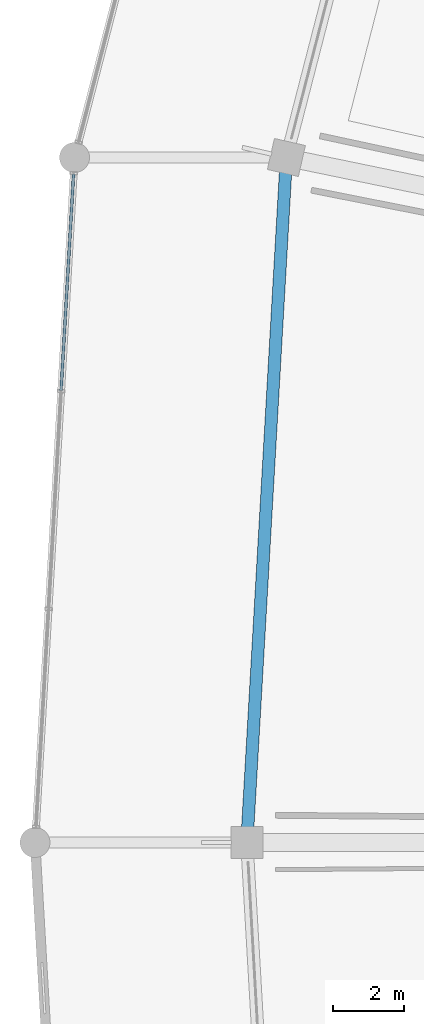
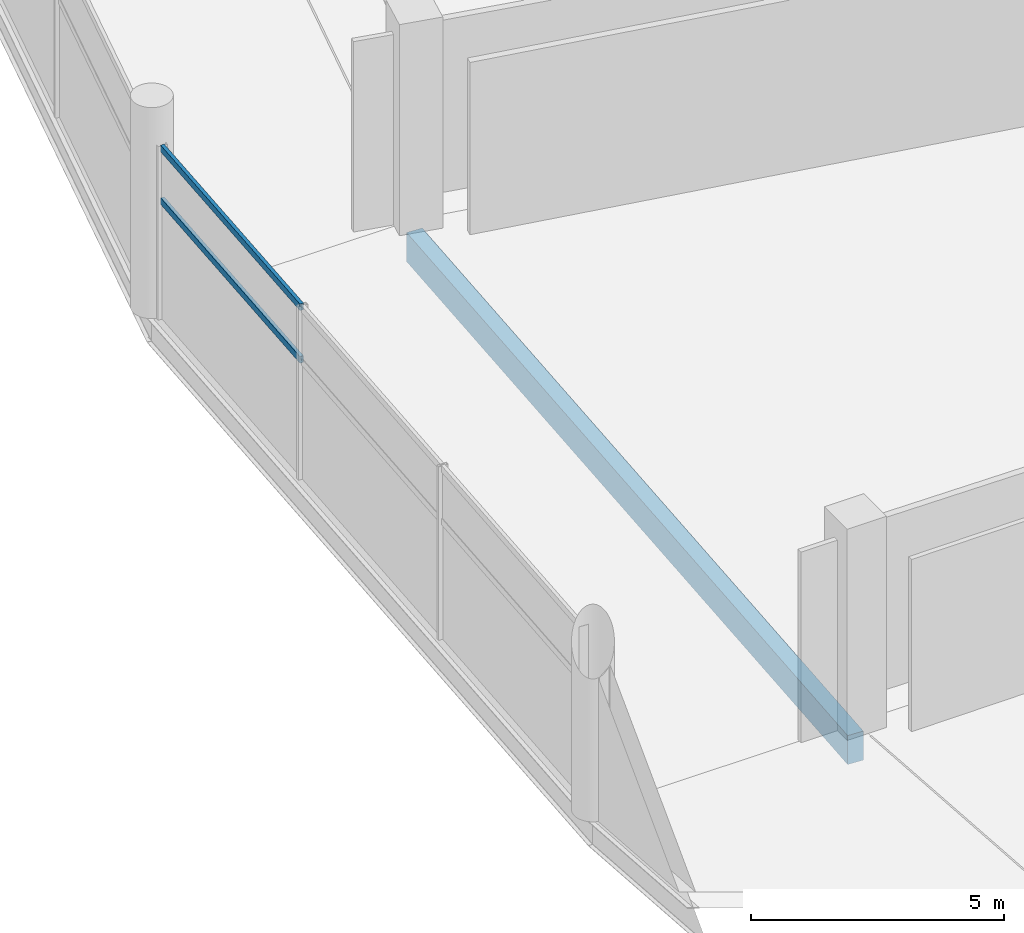
# One storey, part 47 of 184: 2 members, 1 beam, 1 element without a shape of its own.
"""IFC4 building model written with IfcOpenShell, lengths in metres."""

import ifcopenshell
import ifcopenshell.guid

model = None  # the IFC model being written
_history = None  # IfcOwnerHistory: only IFC2X3 demands one
_inside = {}  # id of a spatial element -> (the spatial element, [elements in it])
_under = {}  # id of a project, library or spatial element -> (it, [spatial elements below it])
_declared = {}  # id of a project -> (the project, [libraries it declares])
_typed = {}  # id of a type object -> (the type object, [elements of that type])
_made_of = {}  # id of a material, layer set ... -> (it, [elements and type objects made of it])


def new_model(schema):
    """Start an empty IFC model of exactly this schema.

    Asked for "IFC4X3", IfcOpenShell would pick the latest addendum, in which some entities
    have other attributes; the version numbers below select the first issue.
    IFC2X3 requires an IfcOwnerHistory on every rooted entity: one is made here for all.
    """
    global model, _history
    if schema == "IFC4X3":
        model = ifcopenshell.file(schema_version=(4, 3, 0, 0))
    else:
        model = ifcopenshell.file(schema=schema)
    _inside.clear()
    _under.clear()
    _declared.clear()
    _typed.clear()
    _made_of.clear()
    _history = None
    if model.schema == "IFC2X3":
        org = make("IfcOrganization", Name="unknown")
        user = make(
            "IfcPersonAndOrganization",
            ThePerson=make("IfcPerson", FamilyName="unknown"),
            TheOrganization=org,
        )
        app = make(
            "IfcApplication",
            ApplicationDeveloper=org,
            Version="unknown",
            ApplicationFullName="unknown",
            ApplicationIdentifier="unknown",
        )
        _history = make(
            "IfcOwnerHistory",
            OwningUser=user,
            OwningApplication=app,
            ChangeAction="ADDED",
            CreationDate=0,
        )
    return model


def make(cls, **values):
    """One entity of the class cls with the attributes given. An attribute that is None is left unset."""
    return model.create_entity(
        cls, **{name: value for name, value in values.items() if value is not None}
    )


def rooted(cls, **values):
    """An entity with a GlobalId (a new one), such as an element, a storey or a relation."""
    return make(cls, GlobalId=ifcopenshell.guid.new(), OwnerHistory=_history, **values)


def si_unit(unit_type, name, prefix=None):
    """IfcSIUnit, for example si_unit("LENGTHUNIT", "METRE", prefix="MILLI")."""
    return make("IfcSIUnit", UnitType=unit_type, Prefix=prefix, Name=name)


def assignment(units):
    """IfcUnitAssignment: the units of a project."""
    return None if units is None else make("IfcUnitAssignment", Units=units)


def point(xyz):
    """IfcCartesianPoint."""
    return None if xyz is None else make("IfcCartesianPoint", Coordinates=xyz)


def direction(xyz):
    """IfcDirection."""
    return None if xyz is None else make("IfcDirection", DirectionRatios=xyz)


def frame(location, z_axis=None, x_axis=None):
    """IfcAxis2Placement3D, a coordinate frame: its origin and axes. An axis left out is left unset."""
    return make(
        "IfcAxis2Placement3D",
        Location=point(location),
        Axis=direction(z_axis),
        RefDirection=direction(x_axis),
    )


def frame_2d(location, x_axis=None):
    """IfcAxis2Placement2D, a coordinate frame in the plane: its origin and x axis."""
    return make(
        "IfcAxis2Placement2D", Location=point(location), RefDirection=direction(x_axis)
    )


def origin():
    """The frame at (0, 0, 0) with its axes left unset."""
    return frame((0.0, 0.0, 0.0))


def origin_2d():
    """The frame at (0, 0) in the plane with its x axis left unset."""
    return frame_2d((0.0, 0.0))


def place(relative_to, where):
    """IfcLocalPlacement: puts the frame where relative to a parent placement (None: the world)."""
    return make(
        "IfcLocalPlacement", PlacementRelTo=relative_to, RelativePlacement=where
    )


def context(
    kind, dimensions, precision=None, world=None, true_north=None, identifier=None
):
    """IfcGeometricRepresentationContext, for example the 3D "Model" context."""
    return make(
        "IfcGeometricRepresentationContext",
        ContextIdentifier=identifier,
        ContextType=kind,
        CoordinateSpaceDimension=dimensions,
        Precision=precision,
        WorldCoordinateSystem=world,
        TrueNorth=true_north,
    )


def subcontext(parent, identifier, kind, view, scale=None):
    """IfcGeometricRepresentationSubContext, for example "Body" below "Model"."""
    return make(
        "IfcGeometricRepresentationSubContext",
        ContextIdentifier=identifier,
        ContextType=kind,
        ParentContext=parent,
        TargetScale=scale,
        TargetView=view,
    )


def project(units=None, contexts=None):
    """IfcProject with its units and contexts."""
    return rooted(
        "IfcProject",
        Name="project",
        RepresentationContexts=contexts,
        UnitsInContext=assignment(units),
    )


def spatial(cls, under=None, at=None, **own):
    """A site, building, storey or space (cls), placed at a placement, below another one or the project."""
    s = rooted(cls, ObjectPlacement=at, **own)
    if under is not None:
        _under.setdefault(under.id(), (under, []))[1].append(s)
    return s


def profile(cls, at=None, kind="AREA", **sizes):
    """A parametric profile (cls). Its sizes go by their IFC names, for example OverallWidth=200.0."""
    return make(cls, ProfileType=kind, Position=at, **sizes)


def rectangle(**sizes):
    """IfcRectangleProfileDef."""
    return profile("IfcRectangleProfileDef", **sizes)


def hollow_rectangle(**sizes):
    """IfcRectangleHollowProfileDef."""
    return profile("IfcRectangleHollowProfileDef", **sizes)


def extrude(swept, where, along, depth):
    """IfcExtrudedAreaSolid: the profile swept, set in the frame where, extruded along a direction by depth."""
    return make(
        "IfcExtrudedAreaSolid",
        SweptArea=swept,
        Position=where,
        ExtrudedDirection=direction(along),
        Depth=depth,
    )


def shape(context_of_items, identifier, shape_type, items):
    """IfcShapeRepresentation: the items that make up one representation, for example the "Body"."""
    return make(
        "IfcShapeRepresentation",
        ContextOfItems=context_of_items,
        RepresentationIdentifier=identifier,
        RepresentationType=shape_type,
        Items=items,
    )


def material(Name=None, Category=None):
    """IfcMaterial."""
    return make("IfcMaterial", Name=Name, Category=Category)


def layer(
    of_material, thickness, ventilated=None, Name=None, Category=None, Priority=None
):
    """IfcMaterialLayer: one layer of a wall or slab, of a material (None: an air gap)."""
    return make(
        "IfcMaterialLayer",
        Material=of_material,
        LayerThickness=thickness,
        IsVentilated=ventilated,
        Name=Name,
        Category=Category,
        Priority=Priority,
    )


def layer_set(layers, Name=None):
    """IfcMaterialLayerSet."""
    return make("IfcMaterialLayerSet", MaterialLayers=layers, LayerSetName=Name)


def material_profile(
    of_material, cross_section, Name=None, Category=None, Priority=None
):
    """IfcMaterialProfile: a cross section and its material."""
    return make(
        "IfcMaterialProfile",
        Name=Name,
        Material=of_material,
        Profile=cross_section,
        Priority=Priority,
        Category=Category,
    )


def profile_set(profiles, Name=None, composite=None):
    """IfcMaterialProfileSet."""
    return make(
        "IfcMaterialProfileSet",
        Name=Name,
        MaterialProfiles=profiles,
        CompositeProfile=composite,
    )


def made_of(thing, what):
    """Note that an element or type object is made of a material, layer set ...; save() writes the relation."""
    if what is not None:
        _made_of.setdefault(what.id(), (what, []))[1].append(thing)
    return thing


def type_object(cls, material=None, **own):
    """A type object (cls), such as IfcWallType, which elements share."""
    return made_of(rooted(cls, **own), material)


def element(
    cls,
    number,
    at=None,
    inside=None,
    cuts=None,
    type_object=None,
    material=None,
    context=None,
    identifier="Body",
    shape_type=None,
    held_by="IfcProductDefinitionShape",
    body=None,
    shapes=None,
    **own,
):
    """One element of the class cls, such as IfcWall. Its Tag is "e" and its number.

    at: its placement. inside: the storey or other place that contains it. cuts: it is an
    opening in that element (IfcRelVoidsElement). A single representation is given by context,
    identifier, shape_type and body (its items); several are given by shapes. held_by: the class
    of the entity that holds the representations. save() writes the other relations.
    """
    e = rooted(cls, Tag="e%d" % number, ObjectPlacement=at, **own)
    if body is not None:
        shapes = [shape(context, identifier, shape_type, body)]
    if shapes is not None:
        e.Representation = make(held_by, Representations=shapes)
    if inside is not None:
        _inside.setdefault(inside.id(), (inside, []))[1].append(e)
    if cuts is not None:
        rooted(
            "IfcRelVoidsElement", RelatingBuildingElement=cuts, RelatedOpeningElement=e
        )
    if type_object is not None:
        _typed.setdefault(type_object.id(), (type_object, []))[1].append(e)
    return made_of(e, material)


def aggregate(whole, parts):
    """IfcRelAggregates: a whole, such as a stair, and the parts it consists of."""
    return rooted("IfcRelAggregates", RelatingObject=whole, RelatedObjects=parts)


def save(model, path):
    """Write the relations noted so far, then the file.

    IfcRelAggregates (storeys below a building ...), IfcRelContainedInSpatialStructure (elements
    in a storey), IfcRelDefinesByType, IfcRelAssociatesMaterial and IfcRelDeclares: one each for
    every whole, place, type object, material and project.
    """
    for whole, parts in _under.values():
        aggregate(whole, parts)
    for where, things in _inside.values():
        rooted(
            "IfcRelContainedInSpatialStructure",
            RelatedElements=things,
            RelatingStructure=where,
        )
    for kind, things in _typed.values():
        rooted("IfcRelDefinesByType", RelatedObjects=things, RelatingType=kind)
    for what, things in _made_of.values():
        rooted("IfcRelAssociatesMaterial", RelatedObjects=things, RelatingMaterial=what)
    for by, libraries in _declared.values():
        rooted("IfcRelDeclares", RelatingContext=by, RelatedDefinitions=libraries)
    model.write(path)


model = new_model("IFC4")

# Units and contexts
model_context = context("Model", 3, precision=1e-05, world=origin(), true_north=direction((0.0, 1.0)))
body_context = subcontext(model_context, "Body", "Model", "MODEL_VIEW")
ifc_project = project(units=[si_unit("LENGTHUNIT", "METRE"), si_unit("AREAUNIT", "SQUARE_METRE"), si_unit("VOLUMEUNIT", "CUBIC_METRE"), si_unit("PLANEANGLEUNIT", "RADIAN"), si_unit("MASSUNIT", "GRAM", prefix="KILO")], contexts=[model_context])

# Site, building, storey
site_placement = place(None, origin())
site = spatial("IfcSite", under=ifc_project, at=site_placement, CompositionType="ELEMENT")
building_placement = place(site_placement, origin())
building = spatial("IfcBuilding", under=site, at=building_placement, Name="Kazemori Nagisa Stadium", CompositionType="ELEMENT")
storey_placement = place(building_placement, frame((0.0, 0.0, 10.5400390625)))
storey = spatial("IfcBuildingStorey", under=building, at=storey_placement, Name="L02", CompositionType="ELEMENT", Elevation=10.5400390625)

# Beam
ifc_material_1 = material(Name="Concrete C40/50 (Fc42)", Category="concrete")
ifc_material_profile_1 = material_profile(ifc_material_1, rectangle(XDim=0.35009765625, YDim=0.699951171875, at=origin_2d()), Name="RC-SP-350x700")
ifc_profile_set_1 = profile_set([ifc_material_profile_1], Name="Concrete C40/50 (Fc42)")
beam_type = type_object("IfcBeamType", Name="Beam_BS-RC350X700", PredefinedType="SPANDREL", material=ifc_profile_set_1)
beam_placement = place(storey_placement, frame((29.119140625, 121.397705078125, -0.610107421875), z_axis=(-0.057598702622, -0.998339816624, 0.0), x_axis=(0.998339816624, -0.057598702622, 0.0)))
element("IfcBeam", 1, at=beam_placement, inside=storey, type_object=beam_type, Name="Ring girder BS-RC350X700 L02 R3-14", PredefinedType="SPANDREL", context=body_context, shape_type="SweptSolid", body=[
    extrude(rectangle(XDim=0.35009765625, YDim=0.699951171875, at=origin_2d()), origin(), (0.0, 0.0, 1.0), 19.429931640625),
])

# Curtain wall, members
ifc_material_2 = material(Name="Anodised aluminium 6063-T5", Category="aluminium")
ifc_layer = layer(ifc_material_2, 0.2099609375, Name="Anodised aluminium 6063-T5", Category="aluminium")
ifc_layer_set = layer_set([ifc_layer], Name="Anodised aluminium 6063-T5")
curtain_wall_type = type_object("IfcCurtainWallType", Name="CW_L02R3_93", PredefinedType="USERDEFINED", material=ifc_layer_set)
curtain_wall_placement = place(storey_placement, origin())
curtain_wall = element("IfcCurtainWall", 2, at=curtain_wall_placement, inside=storey, type_object=curtain_wall_type, Name="Unitised curtain wall CW-L02R3-93 L02", ObjectType="UNITISED CURTAIN WALL", PredefinedType="USERDEFINED")
ifc_material_3 = material(Name="Aluminium 6063-T5 anodised", Category="aluminium")
ifc_material_profile_2 = material_profile(ifc_material_3, hollow_rectangle(XDim=0.080078125, YDim=0.159912109375, WallThickness=0.00390625, at=origin_2d()), Name="ALU-TRAN-80x160x4")
ifc_profile_set_2 = profile_set([ifc_material_profile_2], Name="Aluminium 6063-T5 anodised")
member_type = type_object("IfcMemberType", Name="Transom_T02", PredefinedType="USERDEFINED", material=ifc_profile_set_2)
member_1_placement = place(storey_placement, frame((23.092529296875, 120.933349609375, 2.84912109375), z_axis=(-0.057617112955, -0.998338754279, 0.0), x_axis=(0.998338754279, -0.057617112955, 0.0)))
member_1 = element("IfcMember", 3, at=member_1_placement, type_object=member_type, Name="Curtain wall transom CW-L02R3-93-T1-mid", ObjectType="TRANSOM", PredefinedType="USERDEFINED", context=body_context, shape_type="SweptSolid", body=[
    extrude(hollow_rectangle(XDim=0.080078125, YDim=0.159912109375, WallThickness=0.00390625, at=origin_2d()), origin(), (0.0, 0.0, 1.0), 6.139892578125),
])
member_2_placement = place(storey_placement, frame((23.092529296875, 120.933349609375, 4.119873046875), z_axis=(-0.057617112955, -0.998338754279, 0.0), x_axis=(0.998338754279, -0.057617112955, 0.0)))
member_2 = element("IfcMember", 4, at=member_2_placement, type_object=member_type, Name="Curtain wall transom CW-L02R3-93-T1-head", ObjectType="TRANSOM", PredefinedType="USERDEFINED", context=body_context, shape_type="SweptSolid", body=[
    extrude(hollow_rectangle(XDim=0.080078125, YDim=0.159912109375, WallThickness=0.00390625, at=origin_2d()), origin(), (0.0, 0.0, 1.0), 6.139892578125),
])
aggregate(curtain_wall, [member_1, member_2])

save(model, "model.ifc")
